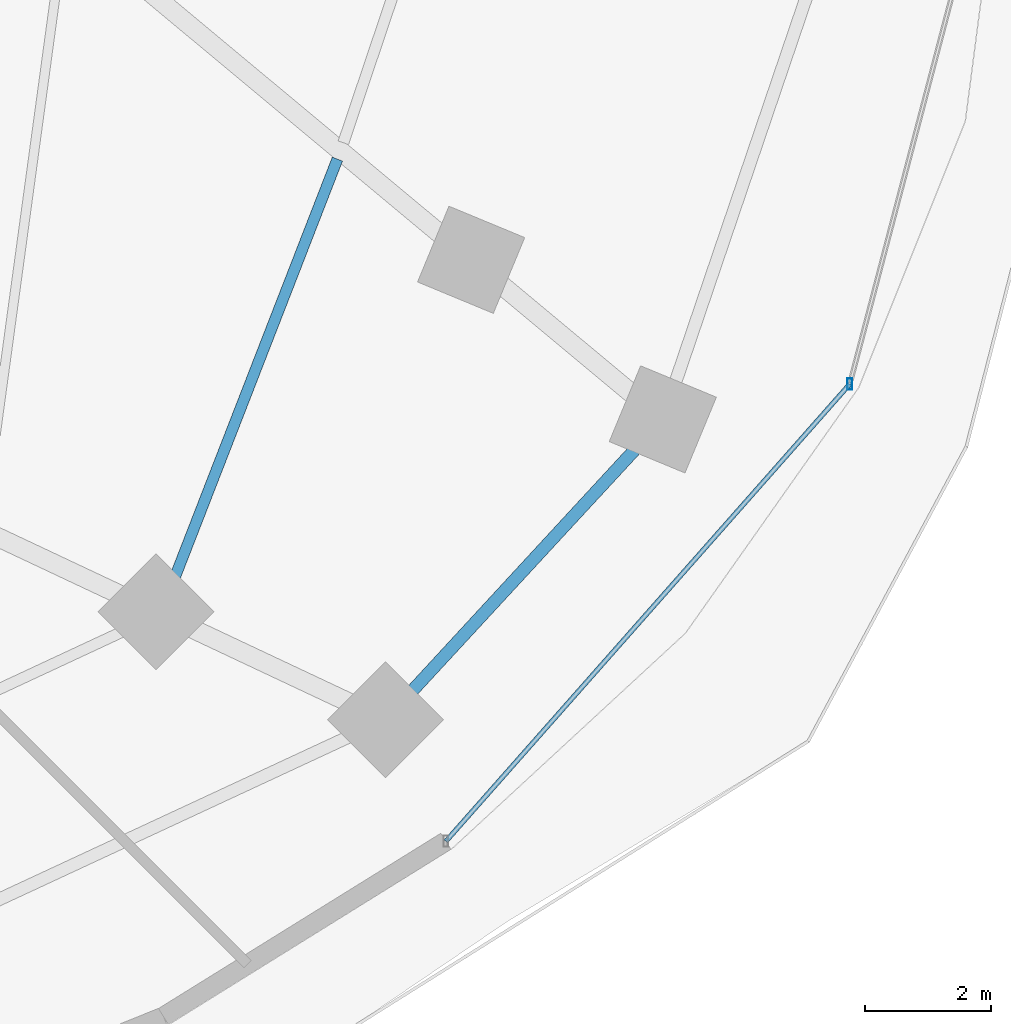
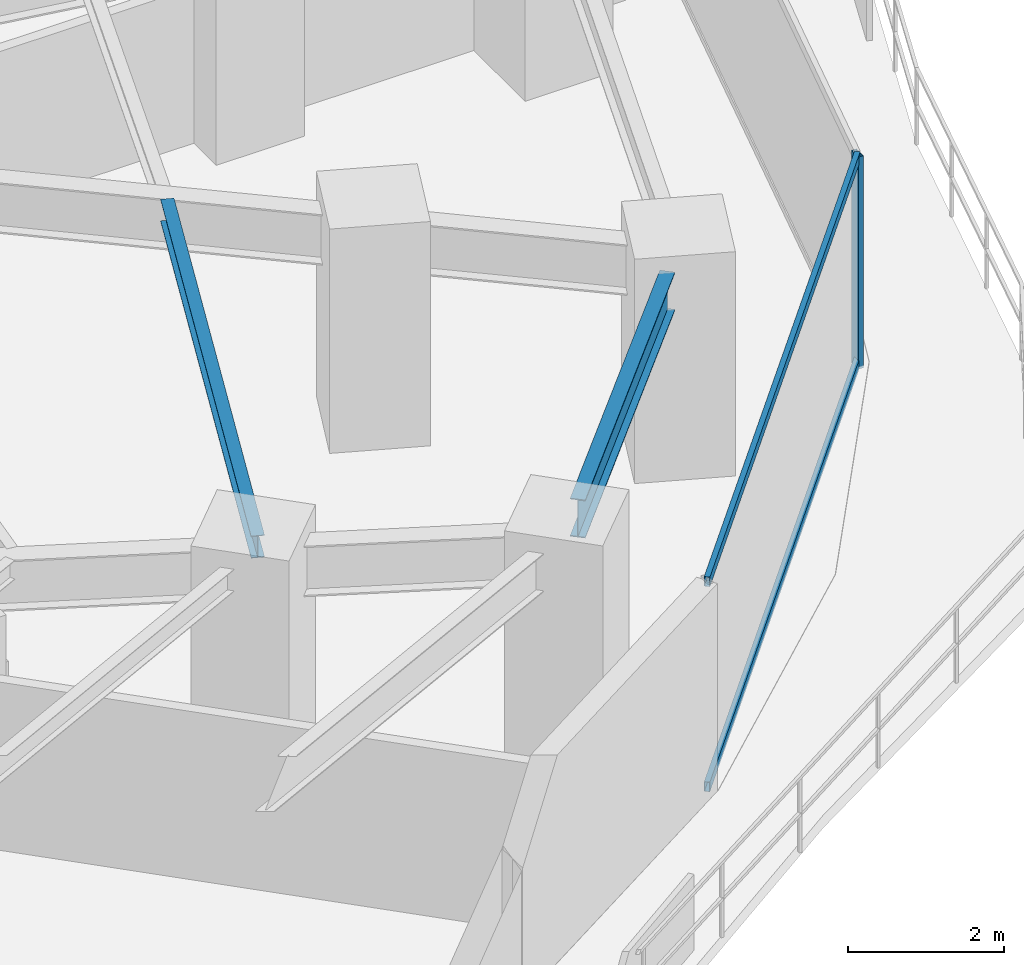
# One storey, part 14 of 34: 3 members, 2 beams, 1 element without a shape of its own.
"""IFC4 building model written with IfcOpenShell, lengths in metres."""

from ifc_helpers import new_model, si_unit, direction, frame, origin, origin_2d, place, context, subcontext, project, spatial, hollow_rectangle, i_section, extrude, material, material_profile, profile_set, type_object, element, aggregate, save


model = new_model("IFC4")

# Units and contexts
model_context = context("Model", 3, precision=1e-05, world=origin(), true_north=direction((0.0, 1.0)))
body_context = subcontext(model_context, "Body", "Model", "MODEL_VIEW")
ifc_project = project(units=[si_unit("LENGTHUNIT", "METRE"), si_unit("AREAUNIT", "SQUARE_METRE"), si_unit("VOLUMEUNIT", "CUBIC_METRE"), si_unit("PLANEANGLEUNIT", "RADIAN"), si_unit("MASSUNIT", "GRAM", prefix="KILO")], contexts=[model_context])

# Site, building, storey
site_placement = place(None, origin())
site = spatial("IfcSite", under=ifc_project, at=site_placement, CompositionType="ELEMENT")
building_placement = place(site_placement, origin())
building = spatial("IfcBuilding", under=site, at=building_placement, Name="Vorneva Point Tower", CompositionType="ELEMENT")
storey_placement = place(building_placement, frame((0.0, 0.0, 31.0)))
storey = spatial("IfcBuildingStorey", under=building, at=storey_placement, Name="L07", CompositionType="ELEMENT", Elevation=31.0)

# Beams
ifc_material_1 = material(Name="Steel S355", Category="steel")
ifc_material_profile_1 = material_profile(ifc_material_1, i_section(OverallWidth=0.174072265625, OverallDepth=0.345947265625, WebThickness=0.006103515625, FlangeThickness=0.009033203125, at=origin_2d()), Name="35B1")
ifc_profile_set_1 = profile_set([ifc_material_profile_1], Name="Steel S355")
beam_type_1 = type_object("IfcBeamType", Name="BM-SEC-35B1", PredefinedType="BEAM", material=ifc_profile_set_1)
beam_1_placement = place(storey_placement, frame((54.422119140625, 13.931884765625, 3.06689453125), z_axis=(0.36226482906, 0.932075208138, 0.0), x_axis=(-0.932075208138, 0.36226482906, 0.0)))
element("IfcBeam", 1, at=beam_1_placement, inside=storey, type_object=beam_type_1, Name="L07 Secondary Floor Beam 1.15", PredefinedType="BEAM", context=body_context, shape_type="SweptSolid", body=[
    extrude(i_section(OverallWidth=0.174072265625, OverallDepth=0.345947265625, WebThickness=0.006103515625, FlangeThickness=0.009033203125, at=origin_2d()), origin(), (0.0, 0.0, 1.0), 7.597900390625),
])
ifc_material_profile_2 = material_profile(ifc_material_1, i_section(OverallWidth=0.198974609375, OverallDepth=0.595947265625, WebThickness=0.010009765625, FlangeThickness=0.014892578125, at=origin_2d()), Name="60B1")
ifc_profile_set_2 = profile_set([ifc_material_profile_2], Name="Steel S355")
beam_type_2 = type_object("IfcBeamType", Name="BM-SPN-60B1", PredefinedType="SPANDREL", material=ifc_profile_set_2)
beam_2_placement = place(storey_placement, frame((58.369384765625, 12.5908203125, 2.94189453125), z_axis=(0.678317071649, 0.734769317752, 0.0), x_axis=(-0.734769317752, 0.678317071649, 0.0)))
element("IfcBeam", 2, at=beam_2_placement, inside=storey, type_object=beam_type_2, Name="L07 Perimeter Spandrel Ring Beam 15", PredefinedType="SPANDREL", context=body_context, shape_type="SweptSolid", body=[
    extrude(i_section(OverallWidth=0.198974609375, OverallDepth=0.595947265625, WebThickness=0.010009765625, FlangeThickness=0.014892578125, at=origin_2d()), origin(), (0.0, 0.0, 1.0), 5.211181640625),
])

# Curtain wall, members
ifc_material_2 = material(Name="Pale anodised aluminium", Category="aluminium")
curtain_wall_type = type_object("IfcCurtainWallType", Name="CW-HTL-SYS", PredefinedType="NOTDEFINED", material=ifc_material_2)
curtain_wall_placement = place(storey_placement, origin())
curtain_wall = element("IfcCurtainWall", 3, at=curtain_wall_placement, inside=storey, type_object=curtain_wall_type, Name="L07 Unitised Curtain Wall CW-L07-R01", PredefinedType="NOTDEFINED")
ifc_material_profile_3 = material_profile(ifc_material_2, hollow_rectangle(XDim=0.074951171875, YDim=0.179931640625, WallThickness=0.00390625, at=origin_2d()), Name="AL-MUL 180x75x4")
ifc_profile_set_3 = profile_set([ifc_material_profile_3], Name="Pale anodised aluminium")
member_type_1 = type_object("IfcMemberType", Name="CW-MUL-180", PredefinedType="MULLION", material=ifc_profile_set_3)
member_1_placement = place(storey_placement, frame((65.300537109375, 17.447021484375, -0.0400390625), z_axis=(0.0, 0.0, 1.0), x_axis=(1.0, 0.0, 0.0)))
member_1 = element("IfcMember", 4, at=member_1_placement, type_object=member_type_1, Name="CW-L07-R01 Mullion 02", PredefinedType="MULLION", context=body_context, shape_type="SweptSolid", body=[
    extrude(hollow_rectangle(XDim=0.074951171875, YDim=0.179931640625, WallThickness=0.00390625, at=origin_2d()), origin(), (0.0, 0.0, 1.0), 3.31005859375),
])
ifc_material_profile_4 = material_profile(ifc_material_2, hollow_rectangle(XDim=0.074951171875, YDim=0.14990234375, WallThickness=0.00390625, at=origin_2d()), Name="AL-TRN 150x75x4")
ifc_profile_set_4 = profile_set([ifc_material_profile_4], Name="Pale anodised aluminium")
member_type_2 = type_object("IfcMemberType", Name="CW-TRN-150", PredefinedType="USERDEFINED", material=ifc_profile_set_4)
member_2_placement = place(storey_placement, frame((58.89501953125, 10.1962890625, 0.02001953125), z_axis=(0.662075539029, 0.749437109182, 0.0), x_axis=(-0.749437109182, 0.662075539029, 0.0)))
member_2 = element("IfcMember", 5, at=member_2_placement, type_object=member_type_2, Name="CW-L07-R01 Transom 01.1", ObjectType="TRANSOM", PredefinedType="USERDEFINED", context=body_context, shape_type="SweptSolid", body=[
    extrude(hollow_rectangle(XDim=0.074951171875, YDim=0.14990234375, WallThickness=0.00390625, at=origin_2d()), origin(), (0.0, 0.0, 1.0), 9.6748046875),
])
member_3_placement = place(storey_placement, frame((58.89501953125, 10.1962890625, 3.219970703125), z_axis=(0.662075539029, 0.749437109182, 0.0), x_axis=(-0.749437109182, 0.662075539029, 0.0)))
member_3 = element("IfcMember", 6, at=member_3_placement, type_object=member_type_2, Name="CW-L07-R01 Transom 01.2", ObjectType="TRANSOM", PredefinedType="USERDEFINED", context=body_context, shape_type="SweptSolid", body=[
    extrude(hollow_rectangle(XDim=0.074951171875, YDim=0.14990234375, WallThickness=0.00390625, at=origin_2d()), origin(), (0.0, 0.0, 1.0), 9.6748046875),
])
aggregate(curtain_wall, [member_1, member_2, member_3])

save(model, "model.ifc")
